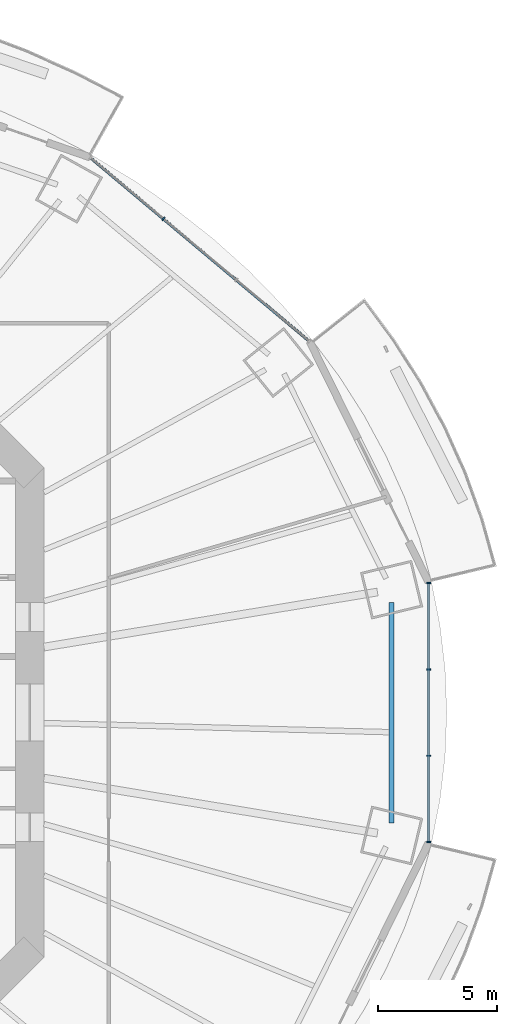
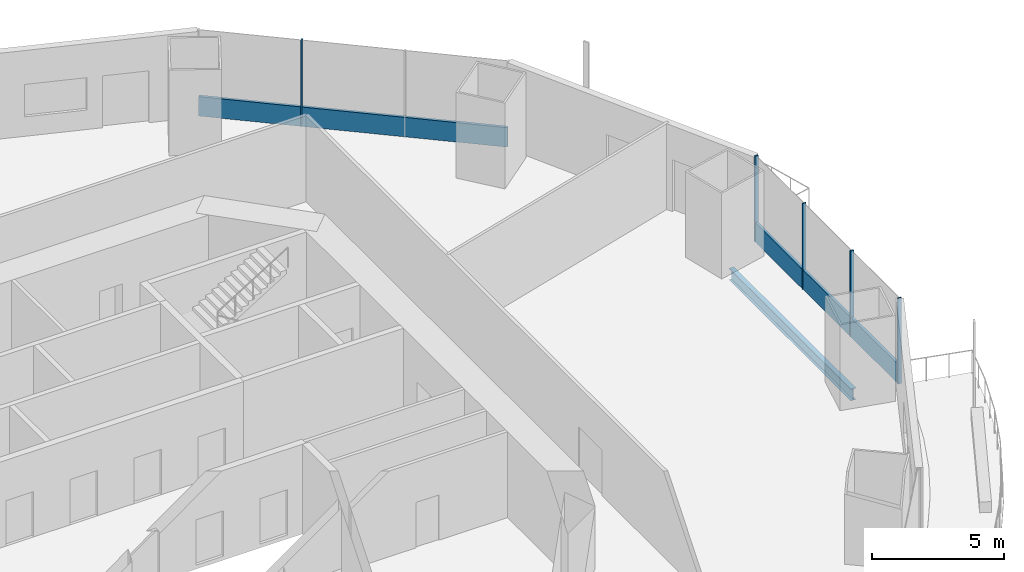
# One storey, part 10 of 20: 7 members, 1 beam, 2 elements without a shape of their own.
"""IFC4 building model written with IfcOpenShell, lengths in metres."""

from ifc_helpers import new_model, si_unit, direction, frame, origin, origin_2d, place, context, subcontext, project, spatial, rectangle, i_section, extrude, material, material_profile, profile_set, type_object, element, aggregate, save


model = new_model("IFC4")

# Units and contexts
model_context = context("Model", 3, precision=1e-05, world=origin(), true_north=direction((0.0, 1.0)))
body_context = subcontext(model_context, "Body", "Model", "MODEL_VIEW")
ifc_project = project(units=[si_unit("LENGTHUNIT", "METRE"), si_unit("AREAUNIT", "SQUARE_METRE"), si_unit("VOLUMEUNIT", "CUBIC_METRE"), si_unit("PLANEANGLEUNIT", "RADIAN"), si_unit("MASSUNIT", "GRAM", prefix="KILO")], contexts=[model_context])

# Site, building, storey
site_placement = place(None, origin())
site = spatial("IfcSite", under=ifc_project, at=site_placement, CompositionType="ELEMENT")
building_placement = place(site_placement, origin())
building = spatial("IfcBuilding", under=site, at=building_placement, Name="Marenthal Gate Tower", CompositionType="ELEMENT")
storey_placement = place(building_placement, frame((0.0, 0.0, 132.60009765625)))
storey = spatial("IfcBuildingStorey", under=building, at=storey_placement, Name="L28", CompositionType="ELEMENT", Elevation=132.60009765625)

# Curtain wall, member
ifc_material_1 = material(Name="Aluminium and glass", Category="aluminium")
curtain_wall_type = type_object("IfcCurtainWallType", Name="Curtain wall typical low", PredefinedType="NOTDEFINED", material=ifc_material_1)
curtain_wall_1_placement = place(storey_placement, origin())
curtain_wall_1 = element("IfcCurtainWall", 1, at=curtain_wall_1_placement, inside=storey, type_object=curtain_wall_type, Name="Curtain wall L28 bay 2", PredefinedType="NOTDEFINED")
ifc_material_2 = material(Name="Aluminium", Category="aluminium")
ifc_material_profile_1 = material_profile(ifc_material_2, rectangle(XDim=0.159912109375, YDim=0.06005859375, at=origin_2d()), Name="60x160 aluminium mullion")
ifc_profile_set_1 = profile_set([ifc_material_profile_1], Name="Aluminium")
member_type_1 = type_object("IfcMemberType", Name="Mullion 60x160 typical low", PredefinedType="MULLION", material=ifc_profile_set_1)
member_1_placement = place(storey_placement, frame((21.597900390625, 20.66796875, 0.0), z_axis=(0.0, 0.0, 1.0), x_axis=(-0.642510826857, -0.766276606305, 0.0)))
member_1 = element("IfcMember", 2, at=member_1_placement, type_object=member_type_1, Name="Mullion L28 bay 2.3", PredefinedType="MULLION", context=body_context, shape_type="SweptSolid", body=[
    extrude(rectangle(XDim=0.159912109375, YDim=0.06005859375, at=origin_2d()), origin(), (0.0, 0.0, 1.0), 3.969970703125),
])

# Curtain wall, members
curtain_wall_2_placement = place(storey_placement, origin())
curtain_wall_2 = element("IfcCurtainWall", 3, at=curtain_wall_2_placement, inside=storey, type_object=curtain_wall_type, Name="Curtain wall L28 bay 16", PredefinedType="NOTDEFINED")
member_2_placement = place(storey_placement, frame((32.701416015625, -5.424072265625, 0.0), z_axis=(0.0, 0.0, 1.0), x_axis=(-1.0, 0.0, 0.0)))
member_2 = element("IfcMember", 4, at=member_2_placement, type_object=member_type_1, Name="Mullion L28 bay 16.1", PredefinedType="MULLION", context=body_context, shape_type="SweptSolid", body=[
    extrude(rectangle(XDim=0.159912109375, YDim=0.06005859375, at=origin_2d()), origin(), (0.0, 0.0, 1.0), 3.969970703125),
])
member_3_placement = place(storey_placement, frame((32.701416015625, -1.80810546875, 0.0), z_axis=(0.0, 0.0, 1.0), x_axis=(-1.0, 0.0, 0.0)))
member_3 = element("IfcMember", 5, at=member_3_placement, type_object=member_type_1, Name="Mullion L28 bay 16.2", PredefinedType="MULLION", context=body_context, shape_type="SweptSolid", body=[
    extrude(rectangle(XDim=0.159912109375, YDim=0.06005859375, at=origin_2d()), origin(), (0.0, 0.0, 1.0), 3.969970703125),
])
member_4_placement = place(storey_placement, frame((32.701416015625, 1.80810546875, 0.0), z_axis=(0.0, 0.0, 1.0), x_axis=(-1.0, 0.0, 0.0)))
member_4 = element("IfcMember", 6, at=member_4_placement, type_object=member_type_1, Name="Mullion L28 bay 16.3", PredefinedType="MULLION", context=body_context, shape_type="SweptSolid", body=[
    extrude(rectangle(XDim=0.159912109375, YDim=0.06005859375, at=origin_2d()), origin(), (0.0, 0.0, 1.0), 3.969970703125),
])
member_5_placement = place(storey_placement, frame((32.701416015625, 5.424072265625, 0.0), z_axis=(0.0, 0.0, 1.0), x_axis=(-1.0, 0.0, 0.0)))
member_5 = element("IfcMember", 7, at=member_5_placement, type_object=member_type_1, Name="Mullion L28 bay 16.4", PredefinedType="MULLION", context=body_context, shape_type="SweptSolid", body=[
    extrude(rectangle(XDim=0.159912109375, YDim=0.06005859375, at=origin_2d()), origin(), (0.0, 0.0, 1.0), 3.969970703125),
])

# Member
ifc_material_3 = material(Name="Aluminium", Category="aluminium")
ifc_material_profile_2 = material_profile(ifc_material_3, rectangle(XDim=0.1201171875, YDim=0.89990234375, at=origin_2d()), Name="120x900 aluminium transom")
ifc_profile_set_2 = profile_set([ifc_material_profile_2], Name="Aluminium")
member_type_2 = type_object("IfcMemberType", Name="Transom 120x900 typical low", PredefinedType="USERDEFINED", material=ifc_profile_set_2)
member_6_placement = place(storey_placement, frame((27.677001953125, 15.570556640625, 0.449951171875), z_axis=(-0.76627636454, 0.642511115194, 0.0), x_axis=(-0.642511115194, -0.76627636454, 0.0)))
member_6 = element("IfcMember", 8, at=member_6_placement, type_object=member_type_2, Name="Transom L28 bay 2", ObjectType="TRANSOM", PredefinedType="USERDEFINED", context=body_context, shape_type="SweptSolid", body=[
    extrude(rectangle(XDim=0.1201171875, YDim=0.89990234375, at=origin_2d()), origin(), (0.0, 0.0, 1.0), 11.885009765625),
])

aggregate(curtain_wall_1, [member_1, member_6])

member_7_placement = place(storey_placement, frame((32.701416015625, -5.39404296875, 0.449951171875), z_axis=(0.0, 1.0, 0.0), x_axis=(-1.0, 0.0, 0.0)))
member_7 = element("IfcMember", 9, at=member_7_placement, type_object=member_type_2, Name="Transom L28 bay 16", ObjectType="TRANSOM", PredefinedType="USERDEFINED", context=body_context, shape_type="SweptSolid", body=[
    extrude(rectangle(XDim=0.1201171875, YDim=0.89990234375, at=origin_2d()), origin(), (0.0, 0.0, 1.0), 10.7880859375),
])

aggregate(curtain_wall_2, [member_2, member_3, member_4, member_5, member_7])

# Beam
ifc_material_4 = material(Name="Steel S355", Category="steel")
ifc_material_profile_3 = material_profile(ifc_material_4, i_section(OverallWidth=0.2119140625, OverallDepth=0.5439453125, WebThickness=0.01318359375, FlangeThickness=0.021240234375, FilletRadius=0.0126953125, at=origin_2d()), Name="W530X123")
ifc_profile_set_3 = profile_set([ifc_material_profile_3], Name="Steel S355")
beam_type = type_object("IfcBeamType", Name="W530X123 beam", PredefinedType="BEAM", material=ifc_profile_set_3)
beam_placement = place(storey_placement, frame((31.151611328125, -4.61767578125, -0.4521484375), z_axis=(0.0, 1.0, 0.0), x_axis=(-1.0, 0.0, 0.0)))
element("IfcBeam", 10, at=beam_placement, inside=storey, type_object=beam_type, Name="BM-L28-56", PredefinedType="BEAM", context=body_context, shape_type="SweptSolid", body=[
    extrude(i_section(OverallWidth=0.2119140625, OverallDepth=0.5439453125, WebThickness=0.01318359375, FlangeThickness=0.021240234375, FilletRadius=0.0126953125, at=origin_2d()), origin(), (0.0, 0.0, 1.0), 9.2353515625),
])

save(model, "model.ifc")
